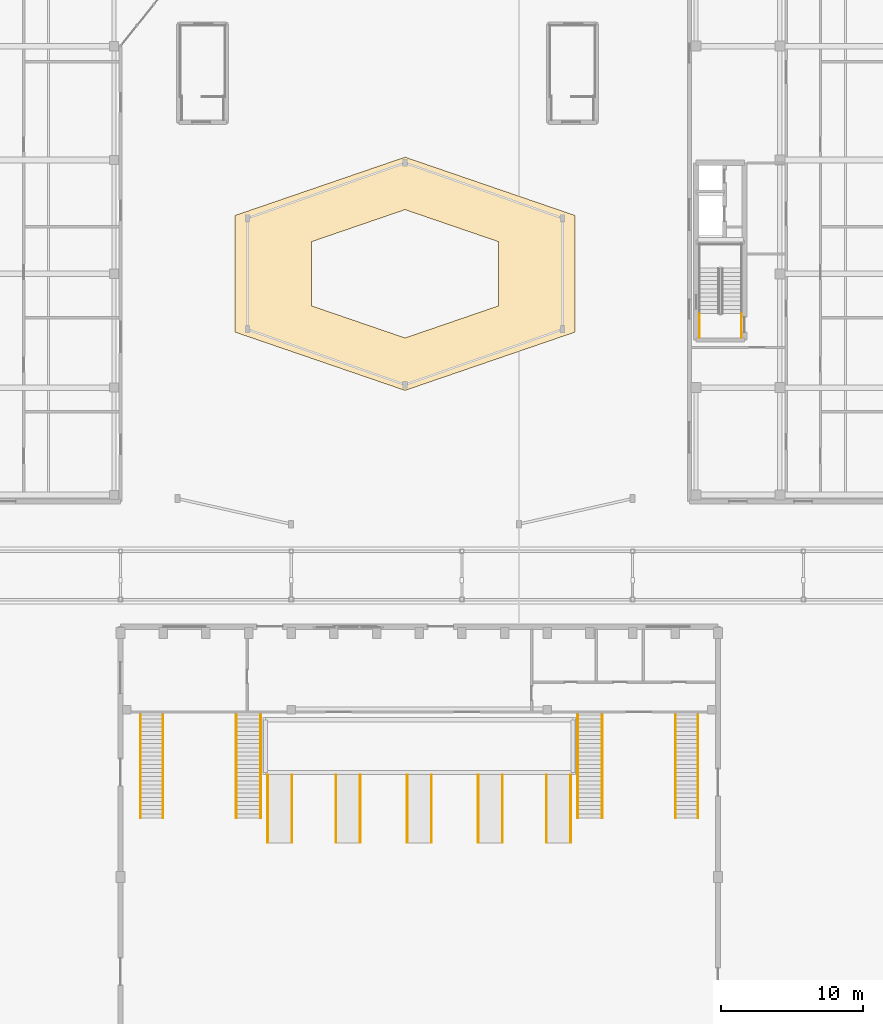
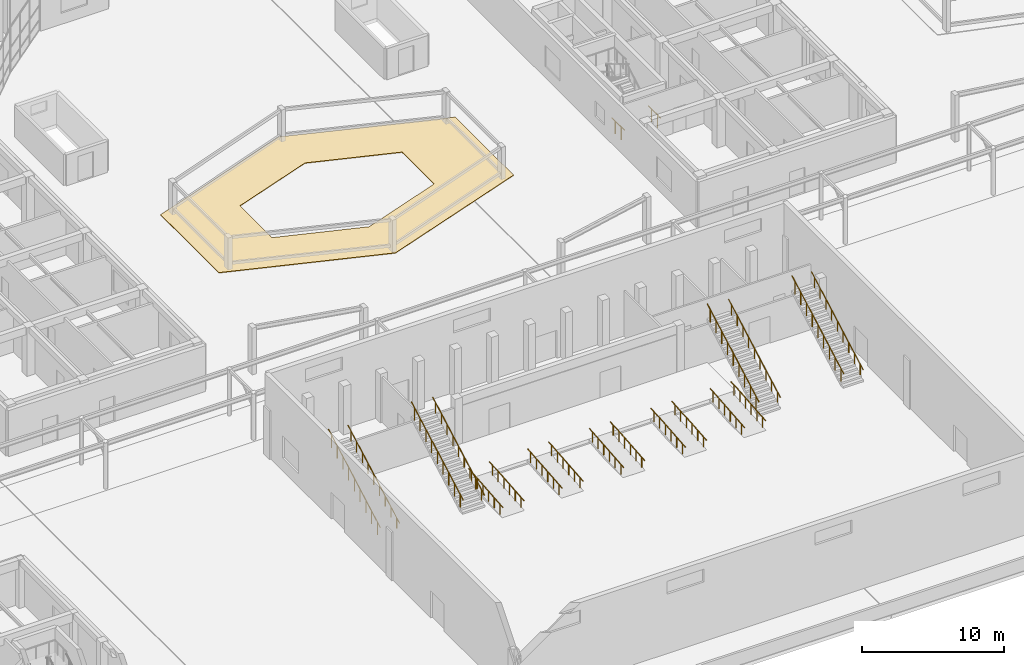
# One storey, part 97 of 114: 20 railings, 1 covering.
"""IFC4 building model written with IfcOpenShell, lengths in metres."""

from ifc_helpers import new_model, si_unit, direction, frame, origin, origin_2d, place, context, subcontext, project, spatial, polyline, circle, outline, extrude, material, layer, layer_set, type_object, element, save


model = new_model("IFC4")

# Units and contexts
model_context = context("Model", 3, precision=1e-05, world=origin(), true_north=direction((0.0, 1.0)))
body_context = subcontext(model_context, "Body", "Model", "MODEL_VIEW")
ifc_project = project(units=[si_unit("LENGTHUNIT", "METRE"), si_unit("AREAUNIT", "SQUARE_METRE"), si_unit("VOLUMEUNIT", "CUBIC_METRE"), si_unit("PLANEANGLEUNIT", "RADIAN"), si_unit("MASSUNIT", "GRAM", prefix="KILO")], contexts=[model_context])

# Site, building, storey
site_placement = place(None, origin())
site = spatial("IfcSite", under=ifc_project, at=site_placement, CompositionType="ELEMENT")
building_placement = place(site_placement, origin())
building = spatial("IfcBuilding", under=site, at=building_placement, Name="Keldmere Railside Commons", CompositionType="ELEMENT")
storey_placement = place(building_placement, origin())
storey = spatial("IfcBuildingStorey", under=building, at=storey_placement, Name="L00", CompositionType="ELEMENT", Elevation=0.0)

# Railings
ifc_material_1 = material(Name="Steel F-24 (S235)", Category="steel")
railing_type_1 = type_object("IfcRailingType", Name="Stair Well Steel Guardrail 1100", PredefinedType="BALUSTRADE", material=ifc_material_1)
for number, where, name in (
    (1, (107.64990234375, 67.5, 0.0), "L00 ST-B1 stair guard 8"),
    (2, (104.699951171875, 67.5, 0.0), "L00 ST-B1 stair guard 9"),
):
    element("IfcRailing", number, at=place(storey_placement, frame(where)), inside=storey, type_object=railing_type_1, Name=name, PredefinedType="BALUSTRADE", context=body_context, shape_type="SweptSolid", body=[
        extrude(circle(Radius=0.02392578125, at=origin_2d()), frame((0.0, 0.0, 1.076171875), z_axis=(0.0, 1.0, 0.0), x_axis=(-1.0, 0.0, 0.0)), (0.0, 0.0, 1.0), 1.699951171875),
        extrude(circle(Radius=0.02099609375, at=origin_2d()), frame((0.0, 0.425048828125, 0.0)), (0.0, 0.0, 1.0), 1.048095703125),
        extrude(circle(Radius=0.02099609375, at=origin_2d()), frame((0.0, 1.27490234375, 0.0)), (0.0, 0.0, 1.0), 1.048095703125),
    ])
for number, where, name in (
    (3, (65.4150390625, 33.75, 0.159912109375), "GR-2 ST-H1-GR"),
    (4, (103.014892578125, 33.75, 0.159912109375), "GR-2 ST-H2-GR"),
    (5, (72.139892578125, 33.75, 0.159912109375), "GR-2 ST-CRT1-GR"),
    (6, (96.139892578125, 33.75, 0.159912109375), "GR-2 ST-CRT2-GR"),
):
    element("IfcRailing", number, at=place(storey_placement, frame(where)), inside=storey, type_object=railing_type_1, Name=name, PredefinedType="BALUSTRADE", context=body_context, shape_type="SweptSolid", body=[
        extrude(circle(Radius=0.02392578125, at=origin_2d()), frame((0.0, 0.0, 1.076171875), z_axis=(0.0, 0.875577684027, 0.483077342911), x_axis=(-1.0, 0.0, 0.0)), (0.0, 0.0, 1.0), 8.2802734375),
        extrude(circle(Radius=0.02099609375, at=origin_2d()), frame((0.0, 0.40283203125, 0.22216796875)), (0.0, 0.0, 1.0), 1.048095703125),
        extrude(circle(Radius=0.02099609375, at=origin_2d()), frame((0.0, 1.208251953125, 0.666748046875)), (0.0, 0.0, 1.0), 1.048095703125),
        extrude(circle(Radius=0.02099609375, at=origin_2d()), frame((0.0, 2.013916015625, 1.111083984375)), (0.0, 0.0, 1.0), 1.048095703125),
        extrude(circle(Radius=0.02099609375, at=origin_2d()), frame((0.0, 2.8193359375, 1.5556640625)), (0.0, 0.0, 1.0), 1.048095703125),
        extrude(circle(Radius=0.02099609375, at=origin_2d()), frame((0.0, 3.625, 2.0)), (0.0, 0.0, 1.0), 1.048095703125),
        extrude(circle(Radius=0.02099609375, at=origin_2d()), frame((0.0, 4.4306640625, 2.4443359375)), (0.0, 0.0, 1.0), 1.048095703125),
        extrude(circle(Radius=0.02099609375, at=origin_2d()), frame((0.0, 5.236083984375, 2.888916015625)), (0.0, 0.0, 1.0), 1.048095703125),
        extrude(circle(Radius=0.02099609375, at=origin_2d()), frame((0.0, 6.041748046875, 3.333251953125)), (0.0, 0.0, 1.0), 1.048095703125),
        extrude(circle(Radius=0.02099609375, at=origin_2d()), frame((0.0, 6.84716796875, 3.77783203125)), (0.0, 0.0, 1.0), 1.048095703125),
    ])
railing_type_2 = type_object("IfcRailingType", Name="Wall-Mounted Tubular Steel Handrail 900", PredefinedType="HANDRAIL", material=ifc_material_1)
for number, where, name in (
    (7, (66.985107421875, 33.75, 0.159912109375), "HR-1 ST-H1-HR"),
    (8, (104.5849609375, 33.75, 0.159912109375), "HR-1 ST-H2-HR"),
    (9, (73.860107421875, 33.75, 0.159912109375), "HR-1 ST-CRT1-HR"),
    (10, (97.860107421875, 33.75, 0.159912109375), "HR-1 ST-CRT2-HR"),
):
    element("IfcRailing", number, at=place(storey_placement, frame(where)), inside=storey, type_object=railing_type_2, Name=name, PredefinedType="HANDRAIL", context=body_context, shape_type="SweptSolid", body=[
        extrude(circle(Radius=0.02392578125, at=origin_2d()), frame((0.0, 0.0, 0.8759765625), z_axis=(0.0, 0.875577684027, 0.483077342911), x_axis=(-1.0, 0.0, 0.0)), (0.0, 0.0, 1.0), 8.2802734375),
        extrude(circle(Radius=0.02099609375, at=origin_2d()), frame((0.0, 0.40283203125, 0.22216796875)), (0.0, 0.0, 1.0), 0.847900390625),
        extrude(circle(Radius=0.02099609375, at=origin_2d()), frame((0.0, 1.208251953125, 0.666748046875)), (0.0, 0.0, 1.0), 0.847900390625),
        extrude(circle(Radius=0.02099609375, at=origin_2d()), frame((0.0, 2.013916015625, 1.111083984375)), (0.0, 0.0, 1.0), 0.847900390625),
        extrude(circle(Radius=0.02099609375, at=origin_2d()), frame((0.0, 2.8193359375, 1.5556640625)), (0.0, 0.0, 1.0), 0.847900390625),
        extrude(circle(Radius=0.02099609375, at=origin_2d()), frame((0.0, 3.625, 2.0)), (0.0, 0.0, 1.0), 0.847900390625),
        extrude(circle(Radius=0.02099609375, at=origin_2d()), frame((0.0, 4.4306640625, 2.4443359375)), (0.0, 0.0, 1.0), 0.847900390625),
        extrude(circle(Radius=0.02099609375, at=origin_2d()), frame((0.0, 5.236083984375, 2.888916015625)), (0.0, 0.0, 1.0), 0.847900390625),
        extrude(circle(Radius=0.02099609375, at=origin_2d()), frame((0.0, 6.041748046875, 3.333251953125)), (0.0, 0.0, 1.0), 0.847900390625),
        extrude(circle(Radius=0.02099609375, at=origin_2d()), frame((0.0, 6.84716796875, 3.77783203125)), (0.0, 0.0, 1.0), 0.847900390625),
    ])
for number, where, name in (
    (11, (74.35009765625, 32.0, 0.0), "HR-1 RAMP-PR-1-L"),
    (12, (76.050048828125, 32.0, 0.0), "HR-1 RAMP-PR-1-R"),
    (13, (79.14990234375, 32.0, 0.0), "HR-1 RAMP-PR-2-L"),
    (14, (80.85009765625, 32.0, 0.0), "HR-1 RAMP-PR-2-R"),
    (15, (84.14990234375, 32.0, 0.0), "HR-1 RAMP-PR-3-L"),
    (16, (85.85009765625, 32.0, 0.0), "HR-1 RAMP-PR-3-R"),
    (17, (89.14990234375, 32.0, 0.0), "HR-1 RAMP-PR-4-L"),
    (18, (90.85009765625, 32.0, 0.0), "HR-1 RAMP-PR-4-R"),
    (19, (93.949951171875, 32.0, 0.0), "HR-1 RAMP-PR-5-L"),
    (20, (95.64990234375, 32.0, 0.0), "HR-1 RAMP-PR-5-R"),
):
    element("IfcRailing", number, at=place(storey_placement, frame(where)), inside=storey, type_object=railing_type_2, Name=name, PredefinedType="HANDRAIL", context=body_context, shape_type="SweptSolid", body=[
        extrude(circle(Radius=0.02392578125, at=origin_2d()), frame((0.0, 0.0, 0.8759765625), z_axis=(0.0, 0.996547505835, 0.083024506106), x_axis=(-1.0, 0.0, 0.0)), (0.0, 0.0, 1.0), 4.816650390625),
        extrude(circle(Radius=0.02099609375, at=origin_2d()), frame((0.0, 0.39990234375, 0.033203125)), (0.0, 0.0, 1.0), 0.847900390625),
        extrude(circle(Radius=0.02099609375, at=origin_2d()), frame((0.0, 1.199951171875, 0.10009765625)), (0.0, 0.0, 1.0), 0.847900390625),
        extrude(circle(Radius=0.02099609375, at=origin_2d()), frame((0.0, 2.0, 0.16650390625)), (0.0, 0.0, 1.0), 0.847900390625),
        extrude(circle(Radius=0.02099609375, at=origin_2d()), frame((0.0, 2.800048828125, 0.2333984375)), (0.0, 0.0, 1.0), 0.847900390625),
        extrude(circle(Radius=0.02099609375, at=origin_2d()), frame((0.0, 3.60009765625, 0.2998046875)), (0.0, 0.0, 1.0), 0.847900390625),
        extrude(circle(Radius=0.02099609375, at=origin_2d()), frame((0.0, 4.400146484375, 0.36669921875)), (0.0, 0.0, 1.0), 0.847900390625),
    ])

# Covering
ifc_material_2 = material(Name="White Precast Concrete C35/45", Category="concrete")
ifc_layer = layer(ifc_material_2, 0.044921875, Name="White Architectural Balcony Ribbon Cladding 45")
ifc_layer_set = layer_set([ifc_layer], Name="White Precast Concrete C35/45")
covering_type = type_object("IfcCoveringType", Name="White Architectural Balcony Ribbon Cladding 45", PredefinedType="FLOORING", material=ifc_layer_set)
covering_placement = place(storey_placement, origin())
element("IfcCovering", 21, at=covering_placement, inside=storey, type_object=covering_type, Name="CLG-WB Hexagonal Court Garden Walk 2", PredefinedType="FLOORING", context=body_context, shape_type="SweptSolid", body=[
    extrude(outline(polyline([(95.950927734375, 76.10009765625), (84.0, 80.199951171875), (72.049072265625, 76.10009765625), (72.049072265625, 67.89990234375), (84.0, 63.800048828125), (95.950927734375, 67.89990234375), (95.950927734375, 76.10009765625)]), holes=[polyline([(90.572998046875, 74.2548828125), (90.572998046875, 69.7451171875), (84.0, 67.489990234375), (77.427001953125, 69.7451171875), (77.427001953125, 74.2548828125), (84.0, 76.510009765625), (90.572998046875, 74.2548828125)])]), origin(), (0.0, 0.0, 1.0), 0.044921875),
])

save(model, "model.ifc")
